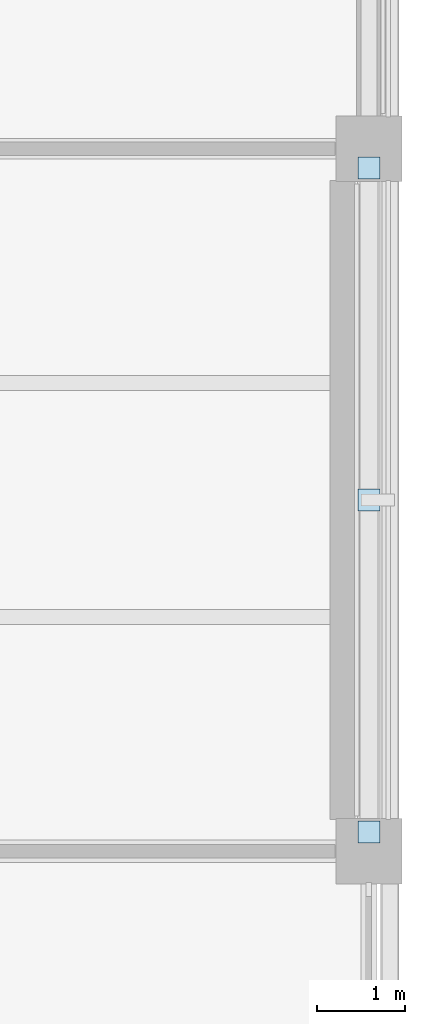
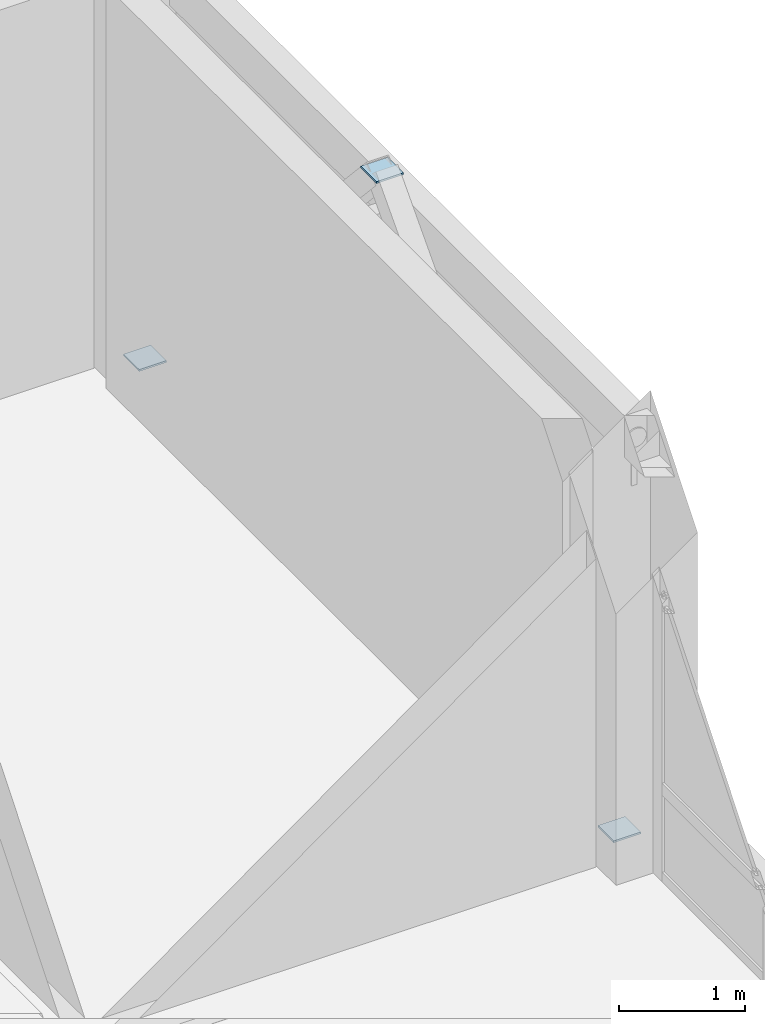
# One storey, part 75 of 121: 3 plates.
"""IFC4 building model written with IfcOpenShell, lengths in metres."""

from ifc_helpers import new_model, si_unit, derived_unit, direction, frame, origin, origin_2d, place, context, subcontext, project, spatial, rectangle, extrude, material, layer, layer_set, type_object, element, save


model = new_model("IFC4")

# Units and contexts
model_context = context("Model", 3, precision=1e-05, world=origin(), true_north=direction((0.0, 1.0)))
body_context = subcontext(model_context, "Body", "Model", "MODEL_VIEW")
ifc_project = project(units=[si_unit("LENGTHUNIT", "METRE"), si_unit("AREAUNIT", "SQUARE_METRE"), si_unit("VOLUMEUNIT", "CUBIC_METRE"), si_unit("PLANEANGLEUNIT", "RADIAN"), si_unit("MASSUNIT", "GRAM", prefix="KILO"), derived_unit("THERMALTRANSMITTANCEUNIT", [(si_unit("MASSUNIT", "GRAM", prefix="KILO"), 1), (si_unit("TIMEUNIT", "SECOND"), -3), (si_unit("THERMODYNAMICTEMPERATUREUNIT", "KELVIN"), -1)])], contexts=[model_context])

# Site, building, storey
site_placement = place(None, origin())
site = spatial("IfcSite", under=ifc_project, at=site_placement, CompositionType="ELEMENT")
building_placement = place(site_placement, origin())
building = spatial("IfcBuilding", under=site, at=building_placement, Name="Veyamyaing Civic Hall", CompositionType="ELEMENT")
storey_placement = place(building_placement, frame((0.0, 0.0, 5.280029296875)))
storey = spatial("IfcBuildingStorey", under=building, at=storey_placement, Name="L01", CompositionType="ELEMENT", Elevation=5.280029296875)

# Plates
ifc_material = material(Name="Steel S355J2", Category="steel")
ifc_layer = layer(ifc_material, 0.01806640625, Name="Steel S355J2")
ifc_layer_set = layer_set([ifc_layer], Name="Steel S355J2")
plate_type = type_object("IfcPlateType", Name="GP-02", PredefinedType="SHEET", material=ifc_layer_set)
for number, where, z_axis, x_axis, name in (
    (1, (176.0, 88.219970703125, 0.041015625), (0.0, 0.0, 1.0), (1.0, 0.0, 0.0), "Brace base gusset plate GP-02 BF-NE L01.L"),
    (2, (176.0, 95.780029296875, 0.041015625), (0.0, 0.0, 1.0), (1.0, 0.0, 0.0), "Brace base gusset plate GP-02 BF-NE L01.R"),
    (3, (176.0, 92.0, 4.160888671875), (0.0, 0.0, 1.0), (1.0, 0.0, 0.0), "Brace apex gusset plate GP-02 BF-NE L01"),
):
    element("IfcPlate", number, at=place(storey_placement, frame(where, z_axis=z_axis, x_axis=x_axis)), inside=storey, type_object=plate_type, Name=name, PredefinedType="SHEET", context=body_context, shape_type="SweptSolid", body=[
        extrude(rectangle(XDim=0.25, YDim=0.25, at=origin_2d()), origin(), (0.0, 0.0, 1.0), 0.01806640625),
    ])

save(model, "model.ifc")
